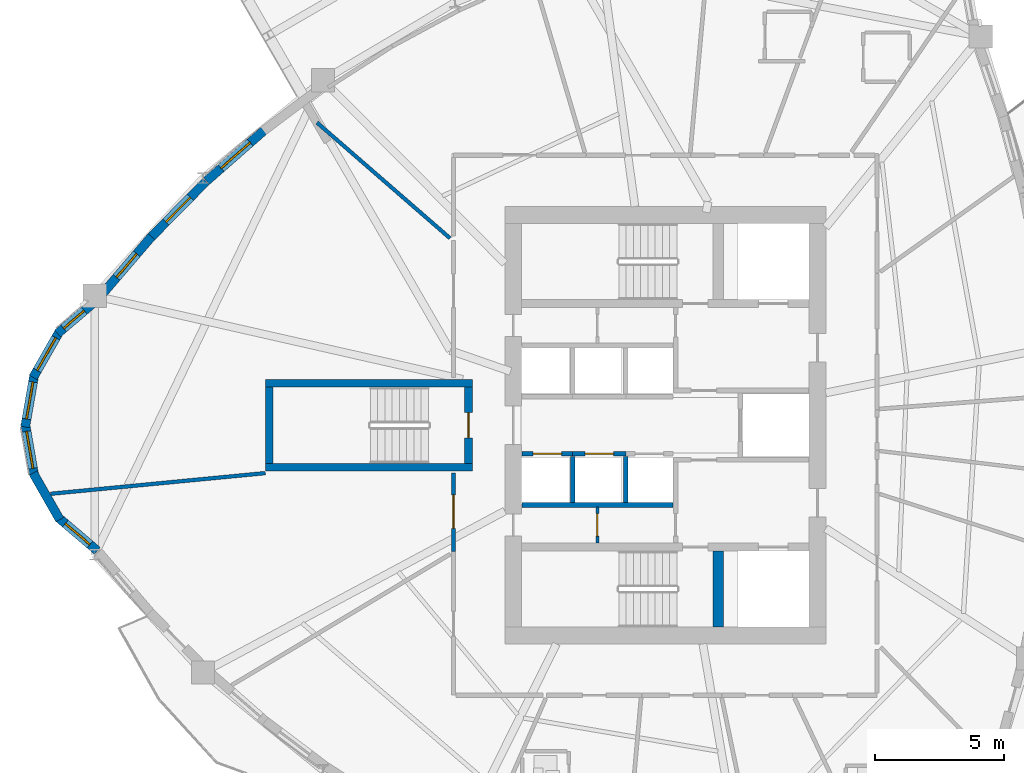
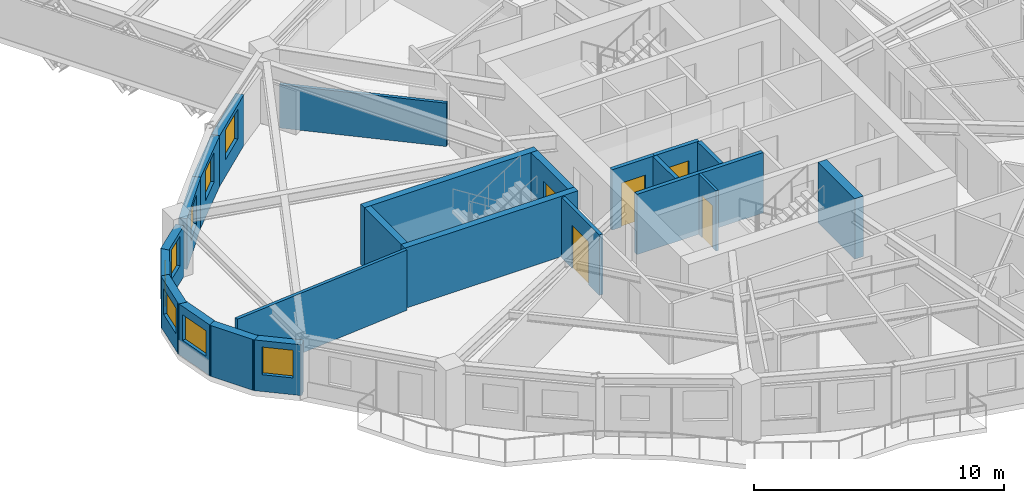
# One storey, part 6 of 14: 23 walls, 8 windows, 5 doors, 13 openings.
"""IFC4 building model written with IfcOpenShell, lengths in metres."""

from ifc_helpers import new_model, si_unit, direction, frame, frame_2d, origin, place, context, subcontext, project, spatial, rectangle, extrude, source, transform, mapped, material, layer, layer_set, type_object, element, fill, save


model = new_model("IFC4")

# Units and contexts
model_context = context("Model", 3, precision=1e-05, world=origin(), true_north=direction((0.0, 1.0)))
body_context = subcontext(model_context, "Body", "Model", "MODEL_VIEW")
ifc_project = project(units=[si_unit("LENGTHUNIT", "METRE"), si_unit("AREAUNIT", "SQUARE_METRE"), si_unit("VOLUMEUNIT", "CUBIC_METRE"), si_unit("PLANEANGLEUNIT", "RADIAN"), si_unit("MASSUNIT", "GRAM", prefix="KILO")], contexts=[model_context])

# Site, building, storey
site_placement = place(None, origin())
site = spatial("IfcSite", under=ifc_project, at=site_placement, CompositionType="ELEMENT")
building_placement = place(site_placement, origin())
building = spatial("IfcBuilding", under=site, at=building_placement, Name="Qafzar Sky-Pleat Residences", CompositionType="ELEMENT")
storey_placement = place(building_placement, frame((0.0, 0.0, 86.39990234375)))
storey = spatial("IfcBuildingStorey", under=building, at=storey_placement, Name="L25", CompositionType="ELEMENT", Elevation=86.39990234375)

# Wall, opening, door
ifc_material_1 = material(Name="Acoustic gypsum plasterboard partition", Category="gypsum")
ifc_layer_1 = layer(ifc_material_1, 0.159912109375)
ifc_layer_set_1 = layer_set([ifc_layer_1], Name="Acoustic gypsum plasterboard partition")
wall_type_1 = type_object("IfcWallType", Name="PART-COR-160", PredefinedType="PARTITIONING", material=ifc_layer_set_1)
wall_1_placement = place(storey_placement, frame((22.169921875, 21.1279296875, 0.0), z_axis=(0.0, 0.0, 1.0), x_axis=(0.0, 1.0, 0.0)))
wall_1 = element("IfcWall", 1, at=wall_1_placement, inside=storey, type_object=wall_type_1, Name="L25 Partition Wall PART-L25-PW-012", PredefinedType="PARTITIONING", context=body_context, shape_type="SweptSolid", body=[
    extrude(rectangle(XDim=3.02197265625, YDim=0.159912109375, at=frame_2d((1.510986328125, 0.0))), origin(), (0.0, 0.0, 1.0), 2.9501953125),
])
opening_1_placement = place(wall_1_placement, frame((0.882568359375, 0.0, 0.0)))
opening_1 = element("IfcOpeningElement", 2, at=opening_1_placement, cuts=wall_1, Name="Opening ID-05", PredefinedType="OPENING", context=body_context, shape_type="SweptSolid", body=[
    extrude(rectangle(XDim=1.300048828125, YDim=2.10009765625, at=frame_2d((0.64990234375, 1.050048828125))), frame((0.0, 0.08984375, 0.0), z_axis=(0.0, -1.0, 0.0), x_axis=(1.0, 0.0, 0.0)), (0.0, 0.0, 1.0), 0.179931640625),
])
ifc_material_2 = material(Name="Timber-faced fire door", Category="wood")
door_type_1 = type_object("IfcDoorType", Name="DR-LNG-1300", OperationType="DOUBLE_DOOR_SINGLE_SWING", PredefinedType="DOOR", material=ifc_material_2)
shared_shape_1 = source(origin(), body_context, "Body", "SweptSolid", [
    extrude(rectangle(XDim=1.300048828125, YDim=2.10009765625, at=frame_2d((0.64990234375, 1.050048828125))), frame((0.0, 0.02490234375, 0.0), z_axis=(0.0, -1.0, 0.0), x_axis=(1.0, 0.0, 0.0)), (0.0, 0.0, 1.0), 0.050048828125),
])
door_1_placement = place(opening_1_placement, origin())
door_1 = element("IfcDoor", 3, at=door_1_placement, inside=storey, type_object=door_type_1, Name="L25 Tutorial Huddle Room Door", OperationType="DOUBLE_DOOR_SINGLE_SWING", OverallHeight=2.10009765625, OverallWidth=1.300048828125, PredefinedType="DOOR", context=body_context, shape_type="MappedRepresentation", body=[
    mapped(shared_shape_1, transform((0.0, 0.0, 0.0), x_axis=(1.0, 0.0, 0.0), y_axis=(0.0, 1.0, 0.0), z_axis=(0.0, 0.0, 1.0), scale=1.0)),
])
fill(opening_1, door_1)

# Wall
ifc_material_3 = material(Name="Concrete blockwork partition", Category="masonry")
ifc_layer_2 = layer(ifc_material_3, 0.179931640625)
ifc_layer_set_2 = layer_set([ifc_layer_2], Name="Concrete blockwork partition")
wall_type_2 = type_object("IfcWallType", Name="PART-SHAFT-180", PredefinedType="PARTITIONING", material=ifc_layer_set_2)
wall_2_placement = place(storey_placement, frame((24.81005859375, 22.919921875, 0.0), z_axis=(0.0, 0.0, 1.0), x_axis=(1.0, 0.0, 0.0)))
element("IfcWall", 4, at=wall_2_placement, inside=storey, type_object=wall_type_2, Name="L25 Partition Wall PART-L25-P13-S", PredefinedType="PARTITIONING", context=body_context, shape_type="SweptSolid", body=[
    extrude(rectangle(XDim=5.83984375, YDim=0.179931640625, at=frame_2d((2.919921875, 0.0))), origin(), (0.0, 0.0, 1.0), 2.9501953125),
])

# Wall, opening, door
wall_3_placement = place(storey_placement, frame((24.81005859375, 24.89990234375, 0.0), z_axis=(0.0, 0.0, 1.0), x_axis=(1.0, 0.0, 0.0)))
wall_3 = element("IfcWall", 5, at=wall_3_placement, inside=storey, type_object=wall_type_2, Name="L25 Partition Wall PART-L25-P1-N", PredefinedType="PARTITIONING", context=body_context, shape_type="SweptSolid", body=[
    extrude(rectangle(XDim=1.96484375, YDim=0.179931640625, at=frame_2d((0.982421875, 0.0))), origin(), (0.0, 0.0, 1.0), 2.9501953125),
])
opening_2_placement = place(wall_3_placement, frame((0.4326171875, 0.0, 0.0)))
opening_2 = element("IfcOpeningElement", 6, at=opening_2_placement, cuts=wall_3, Name="Opening LD-01", PredefinedType="OPENING", context=body_context, shape_type="SweptSolid", body=[
    extrude(rectangle(XDim=1.10009765625, YDim=2.14990234375, at=frame_2d((0.550048828125, 1.074951171875))), frame((0.0, 0.10009765625, 0.0), z_axis=(0.0, -1.0, 0.0), x_axis=(1.0, 0.0, 0.0)), (0.0, 0.0, 1.0), 0.199951171875),
])
ifc_material_4 = material(Name="Stainless steel sliding landing door", Category="steel")
door_type_2 = type_object("IfcDoorType", Name="DR-LIFT-P", OperationType="DOUBLE_DOOR_SLIDING", PredefinedType="DOOR", material=ifc_material_4)
shared_shape_2 = source(origin(), body_context, "Body", "SweptSolid", [
    extrude(rectangle(XDim=1.10009765625, YDim=2.14990234375, at=frame_2d((0.550048828125, 1.074951171875))), frame((0.0, 0.02490234375, 0.0), z_axis=(0.0, -1.0, 0.0), x_axis=(1.0, 0.0, 0.0)), (0.0, 0.0, 1.0), 0.050048828125),
])
door_2_placement = place(opening_2_placement, origin())
door_2 = element("IfcDoor", 7, at=door_2_placement, inside=storey, type_object=door_type_2, Name="L25 Passenger Lift P1 Landing Door", OperationType="DOUBLE_DOOR_SLIDING", OverallHeight=2.14990234375, OverallWidth=1.10009765625, PredefinedType="DOOR", context=body_context, shape_type="MappedRepresentation", body=[
    mapped(shared_shape_2, transform((0.0, 0.0, 0.0), x_axis=(1.0, 0.0, 0.0), y_axis=(0.0, 1.0, 0.0), z_axis=(0.0, 0.0, 1.0), scale=1.0)),
])
fill(opening_2, door_2)

wall_4_placement = place(storey_placement, frame((26.77490234375, 24.89990234375, 0.0), z_axis=(0.0, 0.0, 1.0), x_axis=(1.0, 0.0, 0.0)))
wall_4 = element("IfcWall", 8, at=wall_4_placement, inside=storey, type_object=wall_type_2, Name="L25 Partition Wall PART-L25-P2-N", PredefinedType="PARTITIONING", context=body_context, shape_type="SweptSolid", body=[
    extrude(rectangle(XDim=2.050048828125, YDim=0.179931640625, at=frame_2d((1.02490234375, 0.0))), origin(), (0.0, 0.0, 1.0), 2.9501953125),
])
opening_3_placement = place(wall_4_placement, frame((0.47509765625, 0.0, 0.0)))
opening_3 = element("IfcOpeningElement", 9, at=opening_3_placement, cuts=wall_4, Name="Opening LD-01", PredefinedType="OPENING", context=body_context, shape_type="SweptSolid", body=[
    extrude(rectangle(XDim=1.10009765625, YDim=2.14990234375, at=frame_2d((0.550048828125, 1.074951171875))), frame((0.0, 0.10009765625, 0.0), z_axis=(0.0, -1.0, 0.0), x_axis=(1.0, 0.0, 0.0)), (0.0, 0.0, 1.0), 0.199951171875),
])
door_3_placement = place(opening_3_placement, origin())
door_3 = element("IfcDoor", 10, at=door_3_placement, inside=storey, type_object=door_type_2, Name="L25 Passenger Lift P2 Landing Door", OperationType="DOUBLE_DOOR_SLIDING", OverallHeight=2.14990234375, OverallWidth=1.10009765625, PredefinedType="DOOR", context=body_context, shape_type="MappedRepresentation", body=[
    mapped(shared_shape_2, transform((0.0, 0.0, 0.0), x_axis=(1.0, 0.0, 0.0), y_axis=(0.0, 1.0, 0.0), z_axis=(0.0, 0.0, 1.0), scale=1.0)),
])
fill(opening_3, door_3)

# Walls
for number, where, z_axis, x_axis, name in (
    (11, (26.77490234375, 23.02001953125, 0.0), (0.0, 0.0, 1.0), (0.0, 1.0, 0.0), "L25 Partition Wall PART-L25-P13-DIV-1"),
    (12, (28.824951171875, 23.02001953125, 0.0), (0.0, 0.0, 1.0), (0.0, 1.0, 0.0), "L25 Partition Wall PART-L25-P13-DIV-2"),
):
    element("IfcWall", number, at=place(storey_placement, frame(where, z_axis=z_axis, x_axis=x_axis)), inside=storey, type_object=wall_type_2, Name=name, PredefinedType="PARTITIONING", context=body_context, shape_type="SweptSolid", body=[
        extrude(rectangle(XDim=1.780029296875, YDim=0.179931640625, at=frame_2d((0.89013671875, 0.0))), origin(), (0.0, 0.0, 1.0), 2.9501953125),
    ])

# Wall, opening, door
ifc_material_5 = material(Name="Gypsum plasterboard partition", Category="gypsum")
ifc_layer_3 = layer(ifc_material_5, 0.114990234375)
ifc_layer_set_3 = layer_set([ifc_layer_3], Name="Gypsum plasterboard partition")
wall_type_3 = type_object("IfcWallType", Name="PART-SVC-115", PredefinedType="PARTITIONING", material=ifc_layer_set_3)
wall_5_placement = place(storey_placement, frame((27.72509765625, 21.4599609375, 0.0), z_axis=(0.0, 0.0, 1.0), x_axis=(0.0, 1.0, 0.0)))
wall_5 = element("IfcWall", 13, at=wall_5_placement, inside=storey, type_object=wall_type_3, Name="L25 Partition Wall PART-L25-KB-SW", PredefinedType="PARTITIONING", context=body_context, shape_type="SweptSolid", body=[
    extrude(rectangle(XDim=1.380126953125, YDim=0.114990234375, at=frame_2d((0.68994140625, 0.0))), origin(), (0.0, 0.0, 1.0), 2.9501953125),
])
opening_4_placement = place(wall_5_placement, frame((0.260009765625, 0.0, 0.0)))
opening_4 = element("IfcOpeningElement", 14, at=opening_4_placement, cuts=wall_5, Name="Opening ID-09", PredefinedType="OPENING", context=body_context, shape_type="SweptSolid", body=[
    extrude(rectangle(XDim=0.860107421875, YDim=2.050048828125, at=frame_2d((0.43017578125, 1.02490234375))), frame((0.0, 0.0673828125, 0.0), z_axis=(0.0, -1.0, 0.0), x_axis=(1.0, 0.0, 0.0)), (0.0, 0.0, 1.0), 0.135009765625),
])
door_type_3 = type_object("IfcDoorType", Name="DR-SVC-860", OperationType="NOTDEFINED", PredefinedType="DOOR", material=ifc_material_2)
shared_shape_3 = source(origin(), body_context, "Body", "SweptSolid", [
    extrude(rectangle(XDim=0.860107421875, YDim=2.050048828125, at=frame_2d((0.43017578125, 1.02490234375))), frame((0.0, 0.02490234375, 0.0), z_axis=(0.0, -1.0, 0.0), x_axis=(1.0, 0.0, 0.0)), (0.0, 0.0, 1.0), 0.050048828125),
])
door_4_placement = place(opening_4_placement, origin())
door_4 = element("IfcDoor", 15, at=door_4_placement, inside=storey, type_object=door_type_3, Name="L25 BMS Metering Cupboard Door", OperationType="SINGLE_SWING_RIGHT", OverallHeight=2.050048828125, OverallWidth=0.860107421875, PredefinedType="DOOR", context=body_context, shape_type="MappedRepresentation", body=[
    mapped(shared_shape_3, transform((0.0, 0.0, 0.0), x_axis=(1.0, 0.0, 0.0), y_axis=(0.0, 1.0, 0.0), z_axis=(0.0, 0.0, 1.0), scale=1.0)),
])
fill(opening_4, door_4)

# Walls
ifc_layer_4 = layer(ifc_material_1, 0.14501953125)
ifc_layer_set_4 = layer_set([ifc_layer_4], Name="Acoustic gypsum plasterboard partition")
wall_type_4 = type_object("IfcWallType", Name="PART-UNIT-145", PredefinedType="PARTITIONING", material=ifc_layer_set_4)
wall_6_placement = place(storey_placement, frame((6.605224609375, 23.3505859375, 0.0), z_axis=(0.0, 0.0, 1.0), x_axis=(0.995388985265, 0.09592063393, 0.0)))
element("IfcWall", 16, at=wall_6_placement, inside=storey, type_object=wall_type_4, Name="L25 Partition Wall PART-L25-PW-027", PredefinedType="PARTITIONING", context=body_context, shape_type="SweptSolid", body=[
    extrude(rectangle(XDim=8.3330078125, YDim=0.14501953125, at=frame_2d((4.16650390625, 0.0))), origin(), (0.0, 0.0, 1.0), 2.9501953125),
])
wall_7_placement = place(storey_placement, frame((16.894775390625, 37.689697265625, 0.0), z_axis=(0.0, 0.0, 1.0), x_axis=(0.754854710059, -0.655892038907, 0.0)))
element("IfcWall", 17, at=wall_7_placement, inside=storey, type_object=wall_type_4, Name="L25 Partition Wall PART-L25-PW-029", PredefinedType="PARTITIONING", context=body_context, shape_type="SweptSolid", body=[
    extrude(rectangle(XDim=6.811279296875, YDim=0.14501953125, at=frame_2d((3.40576171875, 0.0))), origin(), (0.0, 0.0, 1.0), 2.1181640625),
])

# Wall, opening, window
ifc_material_6 = material(Name="Precast concrete C40/50 with honed Riyadh limestone", Category="concrete")
ifc_layer_5 = layer(ifc_material_6, 0.35009765625)
ifc_layer_set_5 = layer_set([ifc_layer_5], Name="Precast concrete C40/50 with honed Riyadh limestone")
wall_type_5 = type_object("IfcWallType", Name="WALL-EXT-350", PredefinedType="SOLIDWALL", material=ifc_layer_set_5)
wall_8_placement = place(storey_placement, frame((8.252685546875, 30.71728515625, 0.0), z_axis=(0.0, 0.0, 1.0), x_axis=(-0.761176639947, -0.648544618973, 0.0)))
wall_8 = element("IfcWall", 18, at=wall_8_placement, inside=storey, type_object=wall_type_5, Name="L25 Limestone Facade Wall 1", PredefinedType="SOLIDWALL", context=body_context, shape_type="SweptSolid", body=[
    extrude(rectangle(XDim=1.81005859375, YDim=0.35009765625, at=frame_2d((0.905029296875, 0.0))), origin(), (0.0, 0.0, 1.0), 2.47998046875),
])
opening_5_placement = place(wall_8_placement, frame((0.455078125, 0.0, 0.820068359375)))
opening_5 = element("IfcOpeningElement", 19, at=opening_5_placement, cuts=wall_8, Name="Opening WN-06", PredefinedType="OPENING", context=body_context, shape_type="SweptSolid", body=[
    extrude(rectangle(XDim=1.050048828125, YDim=1.449951171875, at=frame_2d((0.52490234375, 0.72509765625))), frame((0.0, 0.18505859375, 0.0), z_axis=(0.0, -1.0, 0.0), x_axis=(1.0, 0.0, 0.0)), (0.0, 0.0, 1.0), 0.3701171875),
])
ifc_material_7 = material(Name="Solar-control low-E glass in bronze aluminium frame", Category="glass")
window_type_1 = type_object("IfcWindowType", Name="WIN-06", PartitioningType="SINGLE_PANEL", PredefinedType="WINDOW", material=ifc_material_7)
shared_shape_4 = source(origin(), body_context, "Body", "SweptSolid", [
    extrude(rectangle(XDim=1.050048828125, YDim=1.449951171875, at=frame_2d((0.52490234375, 0.72509765625))), frame((0.0, 0.030029296875, 0.0), z_axis=(0.0, -1.0, 0.0), x_axis=(1.0, 0.0, 0.0)), (0.0, 0.0, 1.0), 0.06005859375),
])
window_1_placement = place(opening_5_placement, origin())
window_1 = element("IfcWindow", 20, at=window_1_placement, inside=storey, type_object=window_type_1, Name="L25 Punched Facade Window 01", OverallHeight=1.449951171875, OverallWidth=1.050048828125, PartitioningType="SINGLE_PANEL", PredefinedType="WINDOW", context=body_context, shape_type="MappedRepresentation", body=[
    mapped(shared_shape_4, transform((0.0, 0.0, 0.0), x_axis=(1.0, 0.0, 0.0), y_axis=(0.0, 1.0, 0.0), z_axis=(0.0, 0.0, 1.0), scale=1.0)),
])
fill(opening_5, window_1)

wall_9_placement = place(storey_placement, frame((6.961181640625, 29.6474609375, 0.0), z_axis=(0.0, 0.0, 1.0), x_axis=(-0.496037473582, -0.868301114132, 0.0)))
wall_9 = element("IfcWall", 21, at=wall_9_placement, inside=storey, type_object=wall_type_5, Name="L25 Limestone Facade Wall 2", PredefinedType="SOLIDWALL", context=body_context, shape_type="SweptSolid", body=[
    extrude(rectangle(XDim=2.072998046875, YDim=0.35009765625, at=frame_2d((1.03662109375, 0.0))), origin(), (0.0, 0.0, 1.0), 2.47998046875),
])
opening_6_placement = place(wall_9_placement, frame((0.3115234375, 0.0, 0.820068359375)))
opening_6 = element("IfcOpeningElement", 22, at=opening_6_placement, cuts=wall_9, Name="Opening WN-15", PredefinedType="OPENING", context=body_context, shape_type="SweptSolid", body=[
    extrude(rectangle(XDim=1.449951171875, YDim=1.25, at=frame_2d((0.72509765625, 0.625))), frame((0.0, 0.18505859375, 0.0), z_axis=(0.0, -1.0, 0.0), x_axis=(1.0, 0.0, 0.0)), (0.0, 0.0, 1.0), 0.3701171875),
])
window_type_2 = type_object("IfcWindowType", Name="WIN-15", PartitioningType="SINGLE_PANEL", PredefinedType="WINDOW", material=ifc_material_7)
shared_shape_5 = source(origin(), body_context, "Body", "SweptSolid", [
    extrude(rectangle(XDim=1.449951171875, YDim=1.25, at=frame_2d((0.72509765625, 0.625))), frame((0.0, 0.030029296875, 0.0), z_axis=(0.0, -1.0, 0.0), x_axis=(1.0, 0.0, 0.0)), (0.0, 0.0, 1.0), 0.06005859375),
])
window_2_placement = place(opening_6_placement, origin())
window_2 = element("IfcWindow", 23, at=window_2_placement, inside=storey, type_object=window_type_2, Name="L25 Punched Facade Window 02", OverallHeight=1.25, OverallWidth=1.449951171875, PartitioningType="SINGLE_PANEL", PredefinedType="WINDOW", context=body_context, shape_type="MappedRepresentation", body=[
    mapped(shared_shape_5, transform((0.0, 0.0, 0.0), x_axis=(1.0, 0.0, 0.0), y_axis=(0.0, 1.0, 0.0), z_axis=(0.0, 0.0, 1.0), scale=1.0)),
])
fill(opening_6, window_2)

wall_10_placement = place(storey_placement, frame((5.978515625, 27.974609375, 0.0), z_axis=(0.0, 0.0, 1.0), x_axis=(-0.172166087538, -0.985067935881, 0.0)))
wall_10 = element("IfcWall", 24, at=wall_10_placement, inside=storey, type_object=wall_type_5, Name="L25 Limestone Facade Wall 3", PredefinedType="SOLIDWALL", context=body_context, shape_type="SweptSolid", body=[
    extrude(rectangle(XDim=2.0732421875, YDim=0.35009765625, at=frame_2d((1.03662109375, 0.0))), origin(), (0.0, 0.0, 1.0), 2.47998046875),
])
opening_7_placement = place(wall_10_placement, frame((0.3115234375, 0.0, 0.820068359375)))
opening_7 = element("IfcOpeningElement", 25, at=opening_7_placement, cuts=wall_10, Name="Opening WN-15", PredefinedType="OPENING", context=body_context, shape_type="SweptSolid", body=[
    extrude(rectangle(XDim=1.449951171875, YDim=1.25, at=frame_2d((0.72509765625, 0.625))), frame((0.0, 0.18505859375, 0.0), z_axis=(0.0, -1.0, 0.0), x_axis=(1.0, 0.0, 0.0)), (0.0, 0.0, 1.0), 0.3701171875),
])
window_3_placement = place(opening_7_placement, origin())
window_3 = element("IfcWindow", 26, at=window_3_placement, inside=storey, type_object=window_type_2, Name="L25 Punched Facade Window 03", OverallHeight=1.25, OverallWidth=1.449951171875, PartitioningType="SINGLE_PANEL", PredefinedType="WINDOW", context=body_context, shape_type="MappedRepresentation", body=[
    mapped(shared_shape_5, transform((0.0, 0.0, 0.0), x_axis=(1.0, 0.0, 0.0), y_axis=(0.0, 1.0, 0.0), z_axis=(0.0, 0.0, 1.0), scale=1.0)),
])
fill(opening_7, window_3)

wall_11_placement = place(storey_placement, frame((5.62158203125, 26.067626953125, 0.0), z_axis=(0.0, 0.0, 1.0), x_axis=(0.172166087538, -0.985067935881, 0.0)))
wall_11 = element("IfcWall", 27, at=wall_11_placement, inside=storey, type_object=wall_type_5, Name="L25 Limestone Facade Wall 4", PredefinedType="SOLIDWALL", context=body_context, shape_type="SweptSolid", body=[
    extrude(rectangle(XDim=2.0732421875, YDim=0.35009765625, at=frame_2d((1.03662109375, 0.0))), origin(), (0.0, 0.0, 1.0), 2.47998046875),
])
opening_8_placement = place(wall_11_placement, frame((0.3115234375, 0.0, 0.820068359375)))
opening_8 = element("IfcOpeningElement", 28, at=opening_8_placement, cuts=wall_11, Name="Opening WN-15", PredefinedType="OPENING", context=body_context, shape_type="SweptSolid", body=[
    extrude(rectangle(XDim=1.449951171875, YDim=1.25, at=frame_2d((0.72509765625, 0.625))), frame((0.0, 0.18505859375, 0.0), z_axis=(0.0, -1.0, 0.0), x_axis=(1.0, 0.0, 0.0)), (0.0, 0.0, 1.0), 0.3701171875),
])
window_4_placement = place(opening_8_placement, origin())
window_4 = element("IfcWindow", 29, at=window_4_placement, inside=storey, type_object=window_type_2, Name="L25 Punched Facade Window 04", OverallHeight=1.25, OverallWidth=1.449951171875, PartitioningType="SINGLE_PANEL", PredefinedType="WINDOW", context=body_context, shape_type="MappedRepresentation", body=[
    mapped(shared_shape_5, transform((0.0, 0.0, 0.0), x_axis=(1.0, 0.0, 0.0), y_axis=(0.0, 1.0, 0.0), z_axis=(0.0, 0.0, 1.0), scale=1.0)),
])
fill(opening_8, window_4)

# Wall
wall_12_placement = place(storey_placement, frame((5.932861328125, 24.152587890625, 0.0), z_axis=(0.0, 0.0, 1.0), x_axis=(0.496037473582, -0.868301114132, 0.0)))
element("IfcWall", 30, at=wall_12_placement, inside=storey, type_object=wall_type_5, Name="L25 Limestone Facade Wall 5", PredefinedType="SOLIDWALL", context=body_context, shape_type="SweptSolid", body=[
    extrude(rectangle(XDim=2.072998046875, YDim=0.35009765625, at=frame_2d((1.03662109375, 0.0))), origin(), (0.0, 0.0, 1.0), 2.47998046875),
])

# Wall, opening, window
wall_13_placement = place(storey_placement, frame((6.875, 22.45654296875, 0.0), z_axis=(0.0, 0.0, 1.0), x_axis=(0.761203352049, -0.648513266502, 0.0)))
wall_13 = element("IfcWall", 31, at=wall_13_placement, inside=storey, type_object=wall_type_5, Name="L25 Limestone Facade Wall 6", PredefinedType="SOLIDWALL", context=body_context, shape_type="SweptSolid", body=[
    extrude(rectangle(XDim=2.014892578125, YDim=0.35009765625, at=frame_2d((1.00732421875, 0.0))), origin(), (0.0, 0.0, 1.0), 2.47998046875),
])
opening_9_placement = place(wall_13_placement, frame((0.392578125, 0.0, 0.820068359375)))
opening_9 = element("IfcOpeningElement", 32, at=opening_9_placement, cuts=wall_13, Name="Opening WN-11", PredefinedType="OPENING", context=body_context, shape_type="SweptSolid", body=[
    extrude(rectangle(XDim=1.25, YDim=1.35009765625, at=frame_2d((0.625, 0.675048828125))), frame((0.0, 0.18505859375, 0.0), z_axis=(0.0, -1.0, 0.0), x_axis=(1.0, 0.0, 0.0)), (0.0, 0.0, 1.0), 0.3701171875),
])
window_type_3 = type_object("IfcWindowType", Name="WIN-11", PartitioningType="SINGLE_PANEL", PredefinedType="WINDOW", material=ifc_material_7)
shared_shape_6 = source(origin(), body_context, "Body", "SweptSolid", [
    extrude(rectangle(XDim=1.25, YDim=1.35009765625, at=frame_2d((0.625, 0.675048828125))), frame((0.0, 0.030029296875, 0.0), z_axis=(0.0, -1.0, 0.0), x_axis=(1.0, 0.0, 0.0)), (0.0, 0.0, 1.0), 0.06005859375),
])
window_5_placement = place(opening_9_placement, origin())
window_5 = element("IfcWindow", 33, at=window_5_placement, inside=storey, type_object=window_type_3, Name="L25 Punched Facade Window 06", OverallHeight=1.35009765625, OverallWidth=1.25, PartitioningType="SINGLE_PANEL", PredefinedType="WINDOW", context=body_context, shape_type="MappedRepresentation", body=[
    mapped(shared_shape_6, transform((0.0, 0.0, 0.0), x_axis=(1.0, 0.0, 0.0), y_axis=(0.0, 1.0, 0.0), z_axis=(0.0, 0.0, 1.0), scale=1.0)),
])
fill(opening_9, window_5)

wall_14_placement = place(storey_placement, frame((14.89892578125, 37.4287109375, 0.0), z_axis=(0.0, 0.0, 1.0), x_axis=(-0.751526984469, -0.659702350773, 0.0)))
wall_14 = element("IfcWall", 34, at=wall_14_placement, inside=storey, type_object=wall_type_5, Name="L25 Limestone Facade Wall 46", PredefinedType="SOLIDWALL", context=body_context, shape_type="SweptSolid", body=[
    extrude(rectangle(XDim=3.0283203125, YDim=0.35009765625, at=frame_2d((1.51416015625, 0.0))), origin(), (0.0, 0.0, 1.0), 2.47998046875),
])
opening_10_placement = place(wall_14_placement, frame((0.774169921875, 0.0, 0.820068359375)))
opening_10 = element("IfcOpeningElement", 35, at=opening_10_placement, cuts=wall_14, Name="Opening WN-03", PredefinedType="OPENING", context=body_context, shape_type="SweptSolid", body=[
    extrude(rectangle(XDim=1.5, YDim=1.449951171875, at=frame_2d((0.75, 0.72509765625))), frame((0.0, 0.18505859375, 0.0), z_axis=(0.0, -1.0, 0.0), x_axis=(1.0, 0.0, 0.0)), (0.0, 0.0, 1.0), 0.3701171875),
])
window_type_4 = type_object("IfcWindowType", Name="WIN-03", PartitioningType="DOUBLE_PANEL_VERTICAL", PredefinedType="WINDOW", material=ifc_material_7)
shared_shape_7 = source(origin(), body_context, "Body", "SweptSolid", [
    extrude(rectangle(XDim=1.5, YDim=1.449951171875, at=frame_2d((0.75, 0.72509765625))), frame((0.0, 0.030029296875, 0.0), z_axis=(0.0, -1.0, 0.0), x_axis=(1.0, 0.0, 0.0)), (0.0, 0.0, 1.0), 0.06005859375),
])
window_6_placement = place(opening_10_placement, origin())
window_6 = element("IfcWindow", 36, at=window_6_placement, inside=storey, type_object=window_type_4, Name="L25 Punched Facade Window 46", OverallHeight=1.449951171875, OverallWidth=1.5, PartitioningType="SINGLE_PANEL", PredefinedType="WINDOW", context=body_context, shape_type="MappedRepresentation", body=[
    mapped(shared_shape_7, transform((0.0, 0.0, 0.0), x_axis=(1.0, 0.0, 0.0), y_axis=(0.0, 1.0, 0.0), z_axis=(0.0, 0.0, 1.0), scale=1.0)),
])
fill(opening_10, window_6)

wall_15_placement = place(storey_placement, frame((12.603271484375, 35.412109375, 0.0), z_axis=(0.0, 0.0, 1.0), x_axis=(-0.701972782373, -0.71220377197, 0.0)))
wall_15 = element("IfcWall", 37, at=wall_15_placement, inside=storey, type_object=wall_type_5, Name="L25 Limestone Facade Wall 47", PredefinedType="SOLIDWALL", context=body_context, shape_type="SweptSolid", body=[
    extrude(rectangle(XDim=3.078369140625, YDim=0.35009765625, at=frame_2d((1.5390625, 0.0))), origin(), (0.0, 0.0, 1.0), 2.47998046875),
])
opening_11_placement = place(wall_15_placement, frame((0.85400390625, 0.0, 0.820068359375)))
opening_11 = element("IfcOpeningElement", 38, at=opening_11_placement, cuts=wall_15, Name="Opening WN-04", PredefinedType="OPENING", context=body_context, shape_type="SweptSolid", body=[
    extrude(rectangle(XDim=1.35009765625, YDim=1.449951171875, at=frame_2d((0.675048828125, 0.72509765625))), frame((0.0, 0.18505859375, 0.0), z_axis=(0.0, -1.0, 0.0), x_axis=(1.0, 0.0, 0.0)), (0.0, 0.0, 1.0), 0.3701171875),
])
window_type_5 = type_object("IfcWindowType", Name="WIN-04", PartitioningType="SINGLE_PANEL", PredefinedType="WINDOW", material=ifc_material_7)
shared_shape_8 = source(origin(), body_context, "Body", "SweptSolid", [
    extrude(rectangle(XDim=1.35009765625, YDim=1.449951171875, at=frame_2d((0.675048828125, 0.72509765625))), frame((0.0, 0.030029296875, 0.0), z_axis=(0.0, -1.0, 0.0), x_axis=(1.0, 0.0, 0.0)), (0.0, 0.0, 1.0), 0.06005859375),
])
window_7_placement = place(opening_11_placement, origin())
window_7 = element("IfcWindow", 39, at=window_7_placement, inside=storey, type_object=window_type_5, Name="L25 Punched Facade Window 47", OverallHeight=1.449951171875, OverallWidth=1.35009765625, PartitioningType="SINGLE_PANEL", PredefinedType="WINDOW", context=body_context, shape_type="MappedRepresentation", body=[
    mapped(shared_shape_8, transform((0.0, 0.0, 0.0), x_axis=(1.0, 0.0, 0.0), y_axis=(0.0, 1.0, 0.0), z_axis=(0.0, 0.0, 1.0), scale=1.0)),
])
fill(opening_11, window_7)

wall_16_placement = place(storey_placement, frame((10.501953125, 33.28466796875, 0.0), z_axis=(0.0, 0.0, 1.0), x_axis=(-0.650770847407, -0.75927419564, 0.0)))
wall_16 = element("IfcWall", 40, at=wall_16_placement, inside=storey, type_object=wall_type_5, Name="L25 Limestone Facade Wall 48", PredefinedType="SOLIDWALL", context=body_context, shape_type="SweptSolid", body=[
    extrude(rectangle(XDim=2.9384765625, YDim=0.35009765625, at=frame_2d((1.46923828125, 0.0))), origin(), (0.0, 0.0, 1.0), 2.47998046875),
])
opening_12_placement = place(wall_16_placement, frame((0.874267578125, 0.0, 0.820068359375)))
opening_12 = element("IfcOpeningElement", 41, at=opening_12_placement, cuts=wall_16, Name="Opening WN-05", PredefinedType="OPENING", context=body_context, shape_type="SweptSolid", body=[
    extrude(rectangle(XDim=1.199951171875, YDim=1.449951171875, at=frame_2d((0.60009765625, 0.72509765625))), frame((0.0, 0.18505859375, 0.0), z_axis=(0.0, -1.0, 0.0), x_axis=(1.0, 0.0, 0.0)), (0.0, 0.0, 1.0), 0.3701171875),
])
window_type_6 = type_object("IfcWindowType", Name="WIN-05", PartitioningType="SINGLE_PANEL", PredefinedType="WINDOW", material=ifc_material_7)
shared_shape_9 = source(origin(), body_context, "Body", "SweptSolid", [
    extrude(rectangle(XDim=1.199951171875, YDim=1.449951171875, at=frame_2d((0.60009765625, 0.72509765625))), frame((0.0, 0.030029296875, 0.0), z_axis=(0.0, -1.0, 0.0), x_axis=(1.0, 0.0, 0.0)), (0.0, 0.0, 1.0), 0.06005859375),
])
window_8_placement = place(opening_12_placement, origin())
window_8 = element("IfcWindow", 42, at=window_8_placement, inside=storey, type_object=window_type_6, Name="L25 Punched Facade Window 48", OverallHeight=1.449951171875, OverallWidth=1.199951171875, PartitioningType="SINGLE_PANEL", PredefinedType="WINDOW", context=body_context, shape_type="MappedRepresentation", body=[
    mapped(shared_shape_9, transform((0.0, 0.0, 0.0), x_axis=(1.0, 0.0, 0.0), y_axis=(0.0, 1.0, 0.0), z_axis=(0.0, 0.0, 1.0), scale=1.0)),
])
fill(opening_12, window_8)

# Walls
ifc_material_8 = material(Name="Concrete C60/75", Category="concrete")
ifc_layer_6 = layer(ifc_material_8, 0.300048828125)
ifc_layer_set_6 = layer_set([ifc_layer_6], Name="Concrete C60/75")
wall_type_6 = type_object("IfcWallType", Name="WALL-SHEAR-300", PredefinedType="SHEAR", material=ifc_layer_set_6)
for number, where, z_axis, x_axis, name in (
    (43, (14.89990234375, 24.375, 0.0), (0.0, 0.0, 1.0), (1.0, 0.0, 0.0), "L25 ST3 wall S"),
    (44, (22.89990234375, 27.625, 0.0), (0.0, 0.0, 1.0), (-1.0, 0.0, 0.0), "L25 ST3 wall N"),
):
    element("IfcWall", number, at=place(storey_placement, frame(where, z_axis=z_axis, x_axis=x_axis)), inside=storey, type_object=wall_type_6, Name=name, PredefinedType="SHEAR", context=body_context, shape_type="SweptSolid", body=[
        extrude(rectangle(XDim=8.0, YDim=0.300048828125, at=frame_2d((4.0, 0.0))), origin(), (0.0, 0.0, 1.0), 2.9501953125),
    ])
wall_17_placement = place(storey_placement, frame((15.050048828125, 27.47509765625, 0.0), z_axis=(0.0, 0.0, 1.0), x_axis=(0.0, -1.0, 0.0)))
element("IfcWall", 45, at=wall_17_placement, inside=storey, type_object=wall_type_6, Name="L25 ST3 wall W", PredefinedType="SHEAR", context=body_context, shape_type="SweptSolid", body=[
    extrude(rectangle(XDim=2.9501953125, YDim=0.300048828125, at=frame_2d((1.47509765625, 0.0))), origin(), (0.0, 0.0, 1.0), 2.9501953125),
])

# Wall, opening, door
wall_18_placement = place(storey_placement, frame((22.75, 24.52490234375, 0.0), z_axis=(0.0, 0.0, 1.0), x_axis=(0.0, 1.0, 0.0)))
wall_18 = element("IfcWall", 46, at=wall_18_placement, inside=storey, type_object=wall_type_6, Name="L25 ST3 wall E", PredefinedType="SHEAR", context=body_context, shape_type="SweptSolid", body=[
    extrude(rectangle(XDim=2.9501953125, YDim=0.300048828125, at=frame_2d((1.47509765625, 0.0))), origin(), (0.0, 0.0, 1.0), 2.9501953125),
])
opening_13_placement = place(wall_18_placement, frame((0.985107421875, 0.0, 0.0)))
opening_13 = element("IfcOpeningElement", 47, at=opening_13_placement, cuts=wall_18, Name="Opening ID-01", PredefinedType="OPENING", context=body_context, shape_type="SweptSolid", body=[
    extrude(rectangle(XDim=0.97998046875, YDim=2.14990234375, at=frame_2d((0.489990234375, 1.074951171875))), frame((0.0, 0.16015625, 0.0), z_axis=(0.0, -1.0, 0.0), x_axis=(1.0, 0.0, 0.0)), (0.0, 0.0, 1.0), 0.320068359375),
])
door_type_4 = type_object("IfcDoorType", Name="DR-STAIR-980", OperationType="NOTDEFINED", PredefinedType="DOOR", material=ifc_material_2)
shared_shape_10 = source(origin(), body_context, "Body", "SweptSolid", [
    extrude(rectangle(XDim=0.97998046875, YDim=2.14990234375, at=frame_2d((0.489990234375, 1.074951171875))), frame((0.0, 0.02490234375, 0.0), z_axis=(0.0, -1.0, 0.0), x_axis=(1.0, 0.0, 0.0)), (0.0, 0.0, 1.0), 0.050048828125),
])
door_5_placement = place(opening_13_placement, origin())
door_5 = element("IfcDoor", 48, at=door_5_placement, inside=storey, type_object=door_type_4, Name="L25 Stair ST3 Fire Door", OperationType="SINGLE_SWING_LEFT", OverallHeight=2.14990234375, OverallWidth=0.97998046875, PredefinedType="DOOR", context=body_context, shape_type="MappedRepresentation", body=[
    mapped(shared_shape_10, transform((0.0, 0.0, 0.0), x_axis=(1.0, 0.0, 0.0), y_axis=(0.0, 1.0, 0.0), z_axis=(0.0, 0.0, 1.0), scale=1.0)),
])
fill(opening_13, door_5)

# Wall
ifc_layer_7 = layer(ifc_material_8, 0.39990234375)
ifc_layer_set_7 = layer_set([ifc_layer_7], Name="Concrete C60/75")
wall_type_7 = type_object("IfcWallType", Name="WALL-SHEAR-400", PredefinedType="SHEAR", material=ifc_layer_set_7)
wall_19_placement = place(storey_placement, frame((32.39990234375, 18.199951171875, 0.0), z_axis=(0.0, 0.0, 1.0), x_axis=(0.0, 1.0, 0.0)))
element("IfcWall", 49, at=wall_19_placement, inside=storey, type_object=wall_type_7, Name="L25 Stair ST1 East Dividing Wall", PredefinedType="SHEAR", context=body_context, shape_type="SweptSolid", body=[
    extrude(rectangle(XDim=2.949951171875, YDim=0.39990234375, at=frame_2d((1.47509765625, 0.0))), origin(), (0.0, 0.0, 1.0), 2.9501953125),
])

save(model, "model.ifc")
